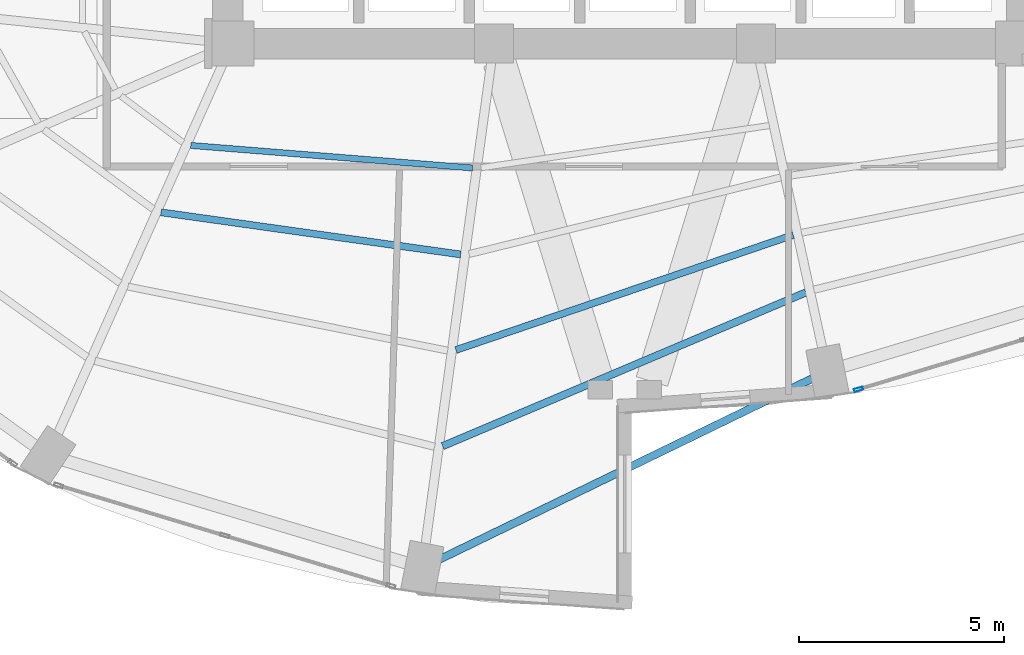
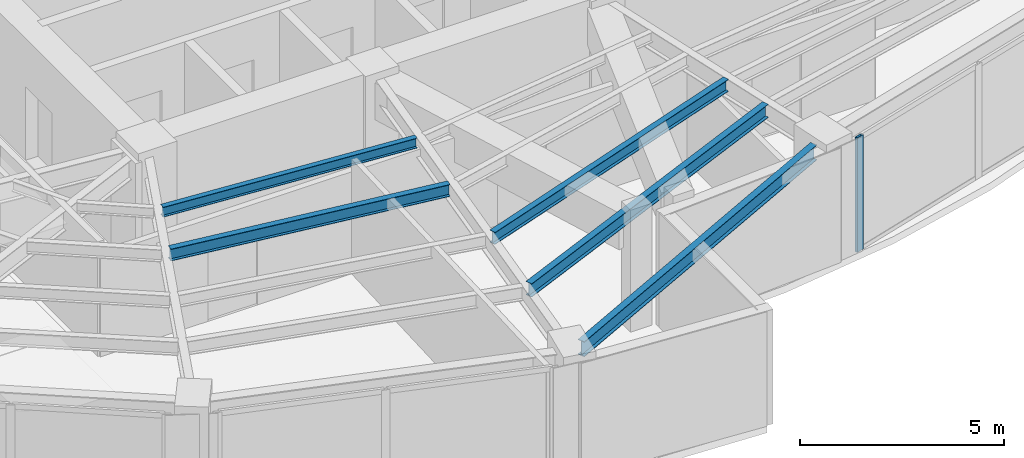
# One storey, part 6 of 23: 5 beams, 1 member, 1 element without a shape of its own.
"""IFC4 building model written with IfcOpenShell, lengths in metres."""

from ifc_helpers import new_model, si_unit, direction, frame, origin, origin_2d, place, context, subcontext, project, spatial, hollow_rectangle, i_section, extrude, material, layer, layer_set, material_profile, profile_set, type_object, element, aggregate, save


model = new_model("IFC4")

# Units and contexts
model_context = context("Model", 3, precision=1e-05, world=origin(), true_north=direction((0.0, 1.0)))
body_context = subcontext(model_context, "Body", "Model", "MODEL_VIEW")
ifc_project = project(units=[si_unit("LENGTHUNIT", "METRE"), si_unit("AREAUNIT", "SQUARE_METRE"), si_unit("VOLUMEUNIT", "CUBIC_METRE"), si_unit("PLANEANGLEUNIT", "RADIAN"), si_unit("MASSUNIT", "GRAM", prefix="KILO")], contexts=[model_context])

# Site, building, storey
site_placement = place(None, origin())
site = spatial("IfcSite", under=ifc_project, at=site_placement, CompositionType="ELEMENT")
building_placement = place(site_placement, origin())
building = spatial("IfcBuilding", under=site, at=building_placement, Name="Lazwardi Medical Tower", CompositionType="ELEMENT")
storey_placement = place(building_placement, frame((0.0, 0.0, 107.280029296875)))
storey = spatial("IfcBuildingStorey", under=building, at=storey_placement, Name="L27", CompositionType="ELEMENT", Elevation=107.280029296875)

# Beams
ifc_material_1 = material(Name="Steel S355", Category="steel")
ifc_material_profile_1 = material_profile(ifc_material_1, i_section(OverallWidth=0.179931640625, OverallDepth=0.39990234375, WebThickness=0.008544921875, FlangeThickness=0.013427734375, at=origin_2d()), Name="IPE 400")
ifc_profile_set_1 = profile_set([ifc_material_profile_1], Name="Steel S355")
beam_type_1 = type_object("IfcBeamType", Name="BM-SJ-01", PredefinedType="JOIST", material=ifc_profile_set_1)
beam_1_placement = place(storey_placement, frame((31.550537109375, 10.571533203125, 3.22802734375), z_axis=(0.920947307957, 0.389687125739, 0.0), x_axis=(-0.389687125739, 0.920947307957, 0.0)))
element("IfcBeam", 1, at=beam_1_placement, inside=storey, type_object=beam_type_1, Name="Secondary joist SJ-01 R1 B16 L27", PredefinedType="JOIST", context=body_context, shape_type="SweptSolid", body=[
    extrude(i_section(OverallWidth=0.179931640625, OverallDepth=0.39990234375, WebThickness=0.008544921875, FlangeThickness=0.013427734375, at=origin_2d()), origin(), (0.0, 0.0, 1.0), 9.63134765625),
])
ifc_material_profile_2 = material_profile(ifc_material_1, i_section(OverallWidth=0.169921875, OverallDepth=0.360107421875, WebThickness=0.008056640625, FlangeThickness=0.0126953125, at=origin_2d()), Name="IPE 360")
ifc_profile_set_2 = profile_set([ifc_material_profile_2], Name="Steel S355")
beam_type_2 = type_object("IfcBeamType", Name="BM-SJ-02", PredefinedType="JOIST", material=ifc_profile_set_2)
beam_2_placement = place(storey_placement, frame((31.874267578125, 12.91796875, 3.248046875), z_axis=(0.946467154368, 0.322800132749, 0.0), x_axis=(-0.322800132749, 0.946467154368, 0.0)))
element("IfcBeam", 2, at=beam_2_placement, inside=storey, type_object=beam_type_2, Name="Secondary joist SJ-02 R2 B16 L27", PredefinedType="JOIST", context=body_context, shape_type="SweptSolid", body=[
    extrude(i_section(OverallWidth=0.169921875, OverallDepth=0.360107421875, WebThickness=0.008056640625, FlangeThickness=0.0126953125, at=origin_2d()), origin(), (0.0, 0.0, 1.0), 8.70458984375),
])
beam_3_placement = place(storey_placement, frame((24.67431640625, 16.281005859375, 3.248046875), z_axis=(0.990260920731, -0.139223952222, 0.0), x_axis=(0.139223952222, 0.990260920731, 0.0)))
element("IfcBeam", 3, at=beam_3_placement, inside=storey, type_object=beam_type_2, Name="Secondary joist SJ-02 R3 B15 L27", PredefinedType="JOIST", context=body_context, shape_type="SweptSolid", body=[
    extrude(i_section(OverallWidth=0.169921875, OverallDepth=0.360107421875, WebThickness=0.008056640625, FlangeThickness=0.0126953125, at=origin_2d()), origin(), (0.0, 0.0, 1.0), 7.3896484375),
])
ifc_material_profile_3 = material_profile(ifc_material_1, i_section(OverallWidth=0.14990234375, OverallDepth=0.300048828125, WebThickness=0.007080078125, FlangeThickness=0.0107421875, at=origin_2d()), Name="IPE 300")
ifc_profile_set_3 = profile_set([ifc_material_profile_3], Name="Steel S355")
beam_type_3 = type_object("IfcBeamType", Name="BM-SJ-03", PredefinedType="JOIST", material=ifc_profile_set_3)
beam_4_placement = place(storey_placement, frame((25.400390625, 17.914306640625, 3.278076171875), z_axis=(0.996816178299, -0.079733974445, 0.0), x_axis=(0.079733974445, 0.996816178299, 0.0)))
element("IfcBeam", 4, at=beam_4_placement, inside=storey, type_object=beam_type_3, Name="Secondary joist SJ-03 R4 B15 L27", PredefinedType="JOIST", context=body_context, shape_type="SweptSolid", body=[
    extrude(i_section(OverallWidth=0.14990234375, OverallDepth=0.300048828125, WebThickness=0.007080078125, FlangeThickness=0.0107421875, at=origin_2d()), origin(), (0.0, 0.0, 1.0), 6.901611328125),
])
ifc_material_profile_4 = material_profile(ifc_material_1, i_section(OverallWidth=0.18994140625, OverallDepth=0.449951171875, WebThickness=0.009521484375, FlangeThickness=0.0146484375, at=origin_2d()), Name="IPE 450")
ifc_profile_set_4 = profile_set([ifc_material_profile_4], Name="Steel S355")
beam_type_4 = type_object("IfcBeamType", Name="BM-SP-01", PredefinedType="SPANDREL", material=ifc_profile_set_4)
beam_5_placement = place(storey_placement, frame((31.42333984375, 7.781494140625, 3.202880859375), z_axis=(0.899653336227, 0.436604941125, 0.0), x_axis=(-0.436604941125, 0.899653336227, 0.0)))
element("IfcBeam", 5, at=beam_5_placement, inside=storey, type_object=beam_type_4, Name="Spandrel beam SP-01 B16 L27", PredefinedType="SPANDREL", context=body_context, shape_type="SweptSolid", body=[
    extrude(i_section(OverallWidth=0.18994140625, OverallDepth=0.449951171875, WebThickness=0.009521484375, FlangeThickness=0.0146484375, at=origin_2d()), origin(), (0.0, 0.0, 1.0), 10.17431640625),
])

# Curtain wall, member
ifc_material_2 = material(Name="Anodised bronze aluminium and solar control glazing", Category="aluminium")
ifc_layer = layer(ifc_material_2, 0.195068359375)
ifc_layer_set = layer_set([ifc_layer], Name="Anodised bronze aluminium and solar control glazing")
curtain_wall_type = type_object("IfcCurtainWallType", Name="CW-SYS-03", PredefinedType="NOTDEFINED", material=ifc_layer_set)
curtain_wall_placement = place(storey_placement, origin())
curtain_wall = element("IfcCurtainWall", 6, at=curtain_wall_placement, inside=storey, type_object=curtain_wall_type, Name="L27 Unitised bronze curtain wall CW-03", PredefinedType="NOTDEFINED")
ifc_material_3 = material(Name="Anodised bronze aluminium", Category="aluminium")
ifc_material_profile_5 = material_profile(ifc_material_3, hollow_rectangle(XDim=0.074951171875, YDim=0.219970703125, WallThickness=0.00390625, at=origin_2d()), Name="ALU-MULLION 220x75x4")
ifc_profile_set_5 = profile_set([ifc_material_profile_5], Name="Anodised bronze aluminium")
member_type = type_object("IfcMemberType", Name="CW-MUL-01", PredefinedType="MULLION", material=ifc_profile_set_5)
member_placement = place(storey_placement, frame((41.710205078125, 11.9599609375, 0.0), z_axis=(0.0, 0.0, 1.0), x_axis=(-0.28937381157, 0.957216170558, 0.0)))
member = element("IfcMember", 7, at=member_placement, type_object=member_type, Name="CW-03 mullion 1", PredefinedType="MULLION", context=body_context, shape_type="SweptSolid", body=[
    extrude(hollow_rectangle(XDim=0.074951171875, YDim=0.219970703125, WallThickness=0.00390625, at=origin_2d()), origin(), (0.0, 0.0, 1.0), 3.427978515625),
])
aggregate(curtain_wall, [member])

save(model, "model.ifc")
